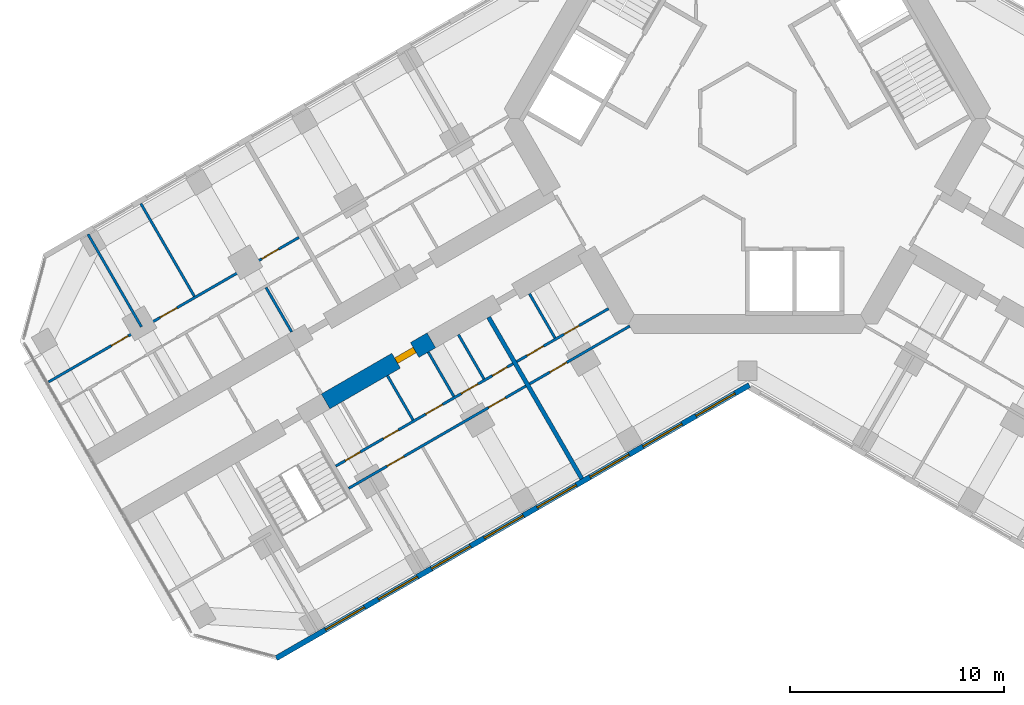
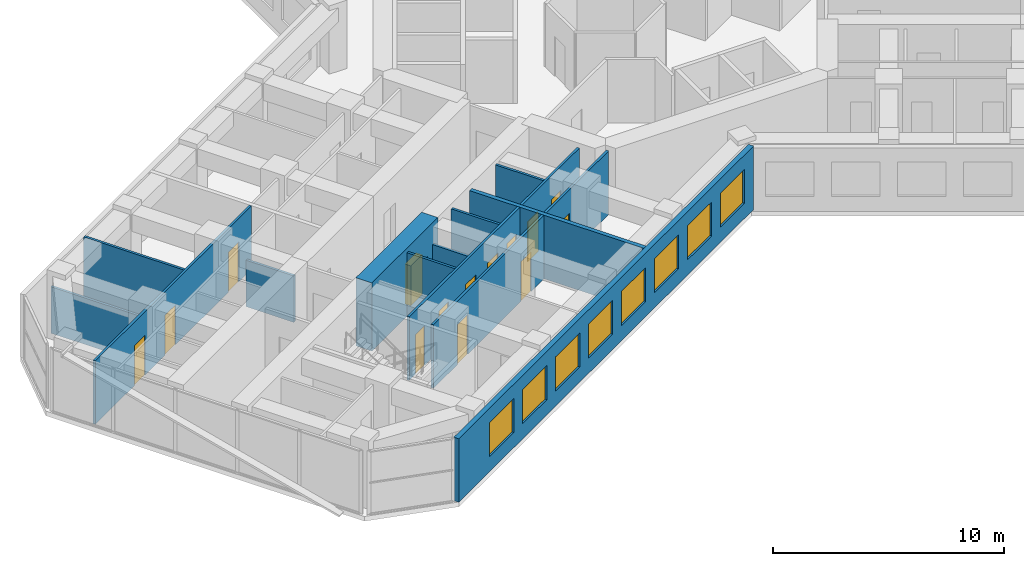
# One storey, part 11 of 20: 15 walls, 14 doors, 8 windows, 22 openings.
"""IFC4 building model written with IfcOpenShell, lengths in metres."""

import ifcopenshell
import ifcopenshell.guid

model = None  # the IFC model being written
_history = None  # IfcOwnerHistory: only IFC2X3 demands one
_inside = {}  # id of a spatial element -> (the spatial element, [elements in it])
_under = {}  # id of a project, library or spatial element -> (it, [spatial elements below it])
_declared = {}  # id of a project -> (the project, [libraries it declares])
_typed = {}  # id of a type object -> (the type object, [elements of that type])
_made_of = {}  # id of a material, layer set ... -> (it, [elements and type objects made of it])


def new_model(schema):
    """Start an empty IFC model of exactly this schema.

    Asked for "IFC4X3", IfcOpenShell would pick the latest addendum, in which some entities
    have other attributes; the version numbers below select the first issue.
    IFC2X3 requires an IfcOwnerHistory on every rooted entity: one is made here for all.
    """
    global model, _history
    if schema == "IFC4X3":
        model = ifcopenshell.file(schema_version=(4, 3, 0, 0))
    else:
        model = ifcopenshell.file(schema=schema)
    _inside.clear()
    _under.clear()
    _declared.clear()
    _typed.clear()
    _made_of.clear()
    _history = None
    if model.schema == "IFC2X3":
        org = make("IfcOrganization", Name="unknown")
        user = make(
            "IfcPersonAndOrganization",
            ThePerson=make("IfcPerson", FamilyName="unknown"),
            TheOrganization=org,
        )
        app = make(
            "IfcApplication",
            ApplicationDeveloper=org,
            Version="unknown",
            ApplicationFullName="unknown",
            ApplicationIdentifier="unknown",
        )
        _history = make(
            "IfcOwnerHistory",
            OwningUser=user,
            OwningApplication=app,
            ChangeAction="ADDED",
            CreationDate=0,
        )
    return model


def make(cls, **values):
    """One entity of the class cls with the attributes given. An attribute that is None is left unset."""
    return model.create_entity(
        cls, **{name: value for name, value in values.items() if value is not None}
    )


def rooted(cls, **values):
    """An entity with a GlobalId (a new one), such as an element, a storey or a relation."""
    return make(cls, GlobalId=ifcopenshell.guid.new(), OwnerHistory=_history, **values)


def si_unit(unit_type, name, prefix=None):
    """IfcSIUnit, for example si_unit("LENGTHUNIT", "METRE", prefix="MILLI")."""
    return make("IfcSIUnit", UnitType=unit_type, Prefix=prefix, Name=name)


def assignment(units):
    """IfcUnitAssignment: the units of a project."""
    return None if units is None else make("IfcUnitAssignment", Units=units)


def point(xyz):
    """IfcCartesianPoint."""
    return None if xyz is None else make("IfcCartesianPoint", Coordinates=xyz)


def direction(xyz):
    """IfcDirection."""
    return None if xyz is None else make("IfcDirection", DirectionRatios=xyz)


def frame(location, z_axis=None, x_axis=None):
    """IfcAxis2Placement3D, a coordinate frame: its origin and axes. An axis left out is left unset."""
    return make(
        "IfcAxis2Placement3D",
        Location=point(location),
        Axis=direction(z_axis),
        RefDirection=direction(x_axis),
    )


def frame_2d(location, x_axis=None):
    """IfcAxis2Placement2D, a coordinate frame in the plane: its origin and x axis."""
    return make(
        "IfcAxis2Placement2D", Location=point(location), RefDirection=direction(x_axis)
    )


def origin():
    """The frame at (0, 0, 0) with its axes left unset."""
    return frame((0.0, 0.0, 0.0))


def place(relative_to, where):
    """IfcLocalPlacement: puts the frame where relative to a parent placement (None: the world)."""
    return make(
        "IfcLocalPlacement", PlacementRelTo=relative_to, RelativePlacement=where
    )


def context(
    kind, dimensions, precision=None, world=None, true_north=None, identifier=None
):
    """IfcGeometricRepresentationContext, for example the 3D "Model" context."""
    return make(
        "IfcGeometricRepresentationContext",
        ContextIdentifier=identifier,
        ContextType=kind,
        CoordinateSpaceDimension=dimensions,
        Precision=precision,
        WorldCoordinateSystem=world,
        TrueNorth=true_north,
    )


def subcontext(parent, identifier, kind, view, scale=None):
    """IfcGeometricRepresentationSubContext, for example "Body" below "Model"."""
    return make(
        "IfcGeometricRepresentationSubContext",
        ContextIdentifier=identifier,
        ContextType=kind,
        ParentContext=parent,
        TargetScale=scale,
        TargetView=view,
    )


def project(units=None, contexts=None):
    """IfcProject with its units and contexts."""
    return rooted(
        "IfcProject",
        Name="project",
        RepresentationContexts=contexts,
        UnitsInContext=assignment(units),
    )


def spatial(cls, under=None, at=None, **own):
    """A site, building, storey or space (cls), placed at a placement, below another one or the project."""
    s = rooted(cls, ObjectPlacement=at, **own)
    if under is not None:
        _under.setdefault(under.id(), (under, []))[1].append(s)
    return s


def profile(cls, at=None, kind="AREA", **sizes):
    """A parametric profile (cls). Its sizes go by their IFC names, for example OverallWidth=200.0."""
    return make(cls, ProfileType=kind, Position=at, **sizes)


def rectangle(**sizes):
    """IfcRectangleProfileDef."""
    return profile("IfcRectangleProfileDef", **sizes)


def extrude(swept, where, along, depth):
    """IfcExtrudedAreaSolid: the profile swept, set in the frame where, extruded along a direction by depth."""
    return make(
        "IfcExtrudedAreaSolid",
        SweptArea=swept,
        Position=where,
        ExtrudedDirection=direction(along),
        Depth=depth,
    )


def shape(context_of_items, identifier, shape_type, items):
    """IfcShapeRepresentation: the items that make up one representation, for example the "Body"."""
    return make(
        "IfcShapeRepresentation",
        ContextOfItems=context_of_items,
        RepresentationIdentifier=identifier,
        RepresentationType=shape_type,
        Items=items,
    )


def material(Name=None, Category=None):
    """IfcMaterial."""
    return make("IfcMaterial", Name=Name, Category=Category)


def layer(
    of_material, thickness, ventilated=None, Name=None, Category=None, Priority=None
):
    """IfcMaterialLayer: one layer of a wall or slab, of a material (None: an air gap)."""
    return make(
        "IfcMaterialLayer",
        Material=of_material,
        LayerThickness=thickness,
        IsVentilated=ventilated,
        Name=Name,
        Category=Category,
        Priority=Priority,
    )


def layer_set(layers, Name=None):
    """IfcMaterialLayerSet."""
    return make("IfcMaterialLayerSet", MaterialLayers=layers, LayerSetName=Name)


def made_of(thing, what):
    """Note that an element or type object is made of a material, layer set ...; save() writes the relation."""
    if what is not None:
        _made_of.setdefault(what.id(), (what, []))[1].append(thing)
    return thing


def type_object(cls, material=None, **own):
    """A type object (cls), such as IfcWallType, which elements share."""
    return made_of(rooted(cls, **own), material)


def element(
    cls,
    number,
    at=None,
    inside=None,
    cuts=None,
    type_object=None,
    material=None,
    context=None,
    identifier="Body",
    shape_type=None,
    held_by="IfcProductDefinitionShape",
    body=None,
    shapes=None,
    **own,
):
    """One element of the class cls, such as IfcWall. Its Tag is "e" and its number.

    at: its placement. inside: the storey or other place that contains it. cuts: it is an
    opening in that element (IfcRelVoidsElement). A single representation is given by context,
    identifier, shape_type and body (its items); several are given by shapes. held_by: the class
    of the entity that holds the representations. save() writes the other relations.
    """
    e = rooted(cls, Tag="e%d" % number, ObjectPlacement=at, **own)
    if body is not None:
        shapes = [shape(context, identifier, shape_type, body)]
    if shapes is not None:
        e.Representation = make(held_by, Representations=shapes)
    if inside is not None:
        _inside.setdefault(inside.id(), (inside, []))[1].append(e)
    if cuts is not None:
        rooted(
            "IfcRelVoidsElement", RelatingBuildingElement=cuts, RelatedOpeningElement=e
        )
    if type_object is not None:
        _typed.setdefault(type_object.id(), (type_object, []))[1].append(e)
    return made_of(e, material)


def fill(opening, filler):
    """IfcRelFillsElement: the door or window that sits in an opening."""
    return rooted(
        "IfcRelFillsElement",
        RelatingOpeningElement=opening,
        RelatedBuildingElement=filler,
    )


def aggregate(whole, parts):
    """IfcRelAggregates: a whole, such as a stair, and the parts it consists of."""
    return rooted("IfcRelAggregates", RelatingObject=whole, RelatedObjects=parts)


def save(model, path):
    """Write the relations noted so far, then the file.

    IfcRelAggregates (storeys below a building ...), IfcRelContainedInSpatialStructure (elements
    in a storey), IfcRelDefinesByType, IfcRelAssociatesMaterial and IfcRelDeclares: one each for
    every whole, place, type object, material and project.
    """
    for whole, parts in _under.values():
        aggregate(whole, parts)
    for where, things in _inside.values():
        rooted(
            "IfcRelContainedInSpatialStructure",
            RelatedElements=things,
            RelatingStructure=where,
        )
    for kind, things in _typed.values():
        rooted("IfcRelDefinesByType", RelatedObjects=things, RelatingType=kind)
    for what, things in _made_of.values():
        rooted("IfcRelAssociatesMaterial", RelatedObjects=things, RelatingMaterial=what)
    for by, libraries in _declared.values():
        rooted("IfcRelDeclares", RelatingContext=by, RelatedDefinitions=libraries)
    model.write(path)


model = new_model("IFC4")

# Units and contexts
model_context = context("Model", 3, precision=1e-05, world=origin(), true_north=direction((0.0, 1.0)))
body_context = subcontext(model_context, "Body", "Model", "MODEL_VIEW")
ifc_project = project(units=[si_unit("LENGTHUNIT", "METRE"), si_unit("AREAUNIT", "SQUARE_METRE"), si_unit("VOLUMEUNIT", "CUBIC_METRE"), si_unit("PLANEANGLEUNIT", "RADIAN"), si_unit("MASSUNIT", "GRAM", prefix="KILO")], contexts=[model_context])

# Site, building, storey
site_placement = place(None, origin())
site = spatial("IfcSite", under=ifc_project, at=site_placement, CompositionType="ELEMENT")
building_placement = place(site_placement, origin())
building = spatial("IfcBuilding", under=site, at=building_placement, Name="Kosmar Iwan School Tower", CompositionType="ELEMENT")
storey_placement = place(building_placement, frame((0.0, 0.0, 179.60009765625)))
storey = spatial("IfcBuildingStorey", under=building, at=storey_placement, Name="L45", CompositionType="ELEMENT", Elevation=179.60009765625)

# Wall, opening, door
ifc_material_1 = material(Name="Concrete C50/60", Category="concrete")
ifc_layer_1 = layer(ifc_material_1, 0.800048828125)
ifc_layer_set_1 = layer_set([ifc_layer_1], Name="Corridor buttress wall 800")
wall_type_1 = type_object("IfcWallType", Name="Corridor buttress wall 800", PredefinedType="SHEAR", material=ifc_layer_set_1)
wall_1_placement = place(storey_placement, frame((-14.7451171875, -10.360595703125, 0.0), z_axis=(0.0, 0.0, 1.0), x_axis=(-0.866015111908, -0.50001782563, 0.0)))
wall_1 = element("IfcWall", 1, at=wall_1_placement, inside=storey, type_object=wall_type_1, Name="Corridor wall BL bay 2", PredefinedType="SHEAR", context=body_context, shape_type="SweptSolid", body=[
    extrude(rectangle(XDim=5.699951171875, YDim=0.800048828125, at=frame_2d((2.85009765625, 0.0))), origin(), (0.0, 0.0, 1.0), 3.599853515625),
])
opening_1_placement = place(wall_1_placement, frame((0.89990234375, 0.0, 0.0)))
opening_1 = element("IfcOpeningElement", 2, at=opening_1_placement, cuts=wall_1, Name="Opening D1", PredefinedType="OPENING", context=body_context, shape_type="SweptSolid", body=[
    extrude(rectangle(XDim=1.0, YDim=2.10009765625, at=frame_2d((0.5, 1.050048828125))), frame((0.0, 0.412109375, 0.0), z_axis=(0.0, -1.0, 0.0), x_axis=(1.0, 0.0, 0.0)), (0.0, 0.0, 1.0), 0.823974609375),
])
ifc_material_2 = material(Name="Timber fire door in steel frame", Category="steel")
door_type_1 = type_object("IfcDoorType", Name="Flat entrance door 1000x2100", OperationType="SINGLE_SWING_LEFT", PredefinedType="DOOR", material=ifc_material_2)
door_1_placement = place(opening_1_placement, origin())
door_1 = element("IfcDoor", 3, at=door_1_placement, inside=storey, type_object=door_type_1, Name="Flat L45-BL2 entrance door", OperationType="SINGLE_SWING_LEFT", OverallHeight=2.10009765625, OverallWidth=1.0, PredefinedType="DOOR", context=body_context, shape_type="SweptSolid", body=[
    extrude(rectangle(XDim=1.0, YDim=2.10009765625, at=frame_2d((0.5, 1.050048828125))), frame((0.0, 0.14990234375, 0.0), z_axis=(0.0, -1.0, 0.0), x_axis=(1.0, 0.0, 0.0)), (0.0, 0.0, 1.0), 0.300048828125),
])
fill(opening_1, door_1)

# Wall, openings, doors
ifc_material_3 = material(Name="Gypsum board on steel studs", Category="steel")
ifc_layer_2 = layer(ifc_material_3, 0.1201171875)
ifc_layer_set_2 = layer_set([ifc_layer_2], Name="Dwelling partition 120")
wall_type_2 = type_object("IfcWallType", Name="Dwelling partition 120", PredefinedType="PARTITIONING", material=ifc_layer_set_2)
wall_2_placement = place(storey_placement, frame((-6.478515625, -8.87890625, 0.0), z_axis=(0.0, 0.0, 1.0), x_axis=(-0.866040211805, -0.499974350878, 0.0)))
wall_2 = element("IfcWall", 4, at=wall_2_placement, inside=storey, type_object=wall_type_2, Name="Partition L45-BL1-W1", PredefinedType="PARTITIONING", context=body_context, shape_type="SweptSolid", body=[
    extrude(rectangle(XDim=4.949951171875, YDim=0.1201171875, at=frame_2d((2.47509765625, 0.0))), origin(), (0.0, 0.0, 1.0), 3.349853515625),
])
opening_2_placement = place(wall_2_placement, frame((1.60009765625, 0.0, 0.0)))
opening_2 = element("IfcOpeningElement", 5, at=opening_2_placement, cuts=wall_2, Name="Opening D3", PredefinedType="OPENING", context=body_context, shape_type="SweptSolid", body=[
    extrude(rectangle(XDim=0.800048828125, YDim=2.10009765625, at=frame_2d((0.39990234375, 1.050048828125))), frame((0.0, 0.072021484375, 0.0), z_axis=(0.0, -1.0, 0.0), x_axis=(1.0, 0.0, 0.0)), (0.0, 0.0, 1.0), 0.14404296875),
])
opening_3_placement = place(wall_2_placement, frame((3.5, 0.0, 0.0)))
opening_3 = element("IfcOpeningElement", 6, at=opening_3_placement, cuts=wall_2, Name="Opening D2", PredefinedType="OPENING", context=body_context, shape_type="SweptSolid", body=[
    extrude(rectangle(XDim=0.89990234375, YDim=2.10009765625, at=frame_2d((0.449951171875, 1.050048828125))), frame((0.0, 0.072021484375, 0.0), z_axis=(0.0, -1.0, 0.0), x_axis=(1.0, 0.0, 0.0)), (0.0, 0.0, 1.0), 0.14404296875),
])
ifc_material_4 = material(Name="Timber door in timber frame", Category="wood")
door_type_2 = type_object("IfcDoorType", Name="Internal door 900x2100", OperationType="SINGLE_SWING_LEFT", PredefinedType="DOOR", material=ifc_material_4)
door_2_placement = place(opening_3_placement, origin())
door_2 = element("IfcDoor", 7, at=door_2_placement, inside=storey, type_object=door_type_2, Name="Entrance hall door L45-BL1-S2", OperationType="SINGLE_SWING_RIGHT", OverallHeight=2.10009765625, OverallWidth=0.89990234375, PredefinedType="DOOR", context=body_context, shape_type="SweptSolid", body=[
    extrude(rectangle(XDim=0.89990234375, YDim=2.10009765625, at=frame_2d((0.449951171875, 1.050048828125))), frame((0.0, 0.02490234375, 0.0), z_axis=(0.0, -1.0, 0.0), x_axis=(1.0, 0.0, 0.0)), (0.0, 0.0, 1.0), 0.050048828125),
])
fill(opening_3, door_2)
ifc_material_5 = material(Name="Timber door in timber frame", Category="wood")
door_type_3 = type_object("IfcDoorType", Name="Sanitary room door 800x2100", OperationType="SINGLE_SWING_LEFT", PredefinedType="DOOR", material=ifc_material_5)
door_3_placement = place(opening_2_placement, origin())
door_3 = element("IfcDoor", 8, at=door_3_placement, inside=storey, type_object=door_type_3, Name="Bathroom door L45-BL1-S1", OperationType="SINGLE_SWING_LEFT", OverallHeight=2.10009765625, OverallWidth=0.800048828125, PredefinedType="DOOR", context=body_context, shape_type="SweptSolid", body=[
    extrude(rectangle(XDim=0.800048828125, YDim=2.10009765625, at=frame_2d((0.39990234375, 1.050048828125))), frame((0.0, 0.02490234375, 0.0), z_axis=(0.0, -1.0, 0.0), x_axis=(1.0, 0.0, 0.0)), (0.0, 0.0, 1.0), 0.050048828125),
])
fill(opening_2, door_3)

# Wall, opening, door
wall_3_placement = place(storey_placement, frame((-5.48876953125, -9.693115234375, 0.0), z_axis=(0.0, 0.0, 1.0), x_axis=(-0.866028230842, -0.499995103361, 0.0)))
wall_3 = element("IfcWall", 9, at=wall_3_placement, inside=storey, type_object=wall_type_2, Name="Partition L45-BL1-W2", PredefinedType="PARTITIONING", context=body_context, shape_type="SweptSolid", body=[
    extrude(rectangle(XDim=5.39990234375, YDim=0.1201171875, at=frame_2d((2.699951171875, 0.0))), origin(), (0.0, 0.0, 1.0), 3.349853515625),
])
opening_4_placement = place(wall_3_placement, frame((3.39990234375, 0.0, 0.0)))
opening_4 = element("IfcOpeningElement", 10, at=opening_4_placement, cuts=wall_3, Name="Opening D2", PredefinedType="OPENING", context=body_context, shape_type="SweptSolid", body=[
    extrude(rectangle(XDim=0.89990234375, YDim=2.10009765625, at=frame_2d((0.449951171875, 1.050048828125))), frame((0.0, 0.072021484375, 0.0), z_axis=(0.0, -1.0, 0.0), x_axis=(1.0, 0.0, 0.0)), (0.0, 0.0, 1.0), 0.14404296875),
])
door_4_placement = place(opening_4_placement, origin())
door_4 = element("IfcDoor", 11, at=door_4_placement, inside=storey, type_object=door_type_2, Name="Studio living room and kitchen door L45-BL1-F1", OperationType="SINGLE_SWING_RIGHT", OverallHeight=2.10009765625, OverallWidth=0.89990234375, PredefinedType="DOOR", context=body_context, shape_type="SweptSolid", body=[
    extrude(rectangle(XDim=0.89990234375, YDim=2.10009765625, at=frame_2d((0.449951171875, 1.050048828125))), frame((0.0, 0.02490234375, 0.0), z_axis=(0.0, -1.0, 0.0), x_axis=(1.0, 0.0, 0.0)), (0.0, 0.0, 1.0), 0.050048828125),
])
fill(opening_4, door_4)

# Wall
wall_4_placement = place(storey_placement, frame((-10.171630859375, -8.18212890625, 0.0), z_axis=(0.0, 0.0, 1.0), x_axis=(0.499940577336, -0.866059708757, 0.0)))
element("IfcWall", 12, at=wall_4_placement, inside=storey, type_object=wall_type_2, Name="Partition L45-BL1-Y1", PredefinedType="PARTITIONING", context=body_context, shape_type="SweptSolid", body=[
    extrude(rectangle(XDim=2.389892578125, YDim=0.1201171875, at=frame_2d((1.19482421875, 0.0))), origin(), (0.0, 0.0, 1.0), 3.349853515625),
])

# Wall, openings, doors
wall_5_placement = place(storey_placement, frame((-10.9384765625, -11.453857421875, 0.0), z_axis=(0.0, 0.0, 1.0), x_axis=(-0.866035311659, -0.499982838664, 0.0)))
wall_5 = element("IfcWall", 13, at=wall_5_placement, inside=storey, type_object=wall_type_2, Name="Partition L45-BL2-W1", PredefinedType="PARTITIONING", context=body_context, shape_type="SweptSolid", body=[
    extrude(rectangle(XDim=9.550048828125, YDim=0.1201171875, at=frame_2d((4.77490234375, 0.0))), origin(), (0.0, 0.0, 1.0), 3.349853515625),
])
opening_5_placement = place(wall_5_placement, frame((0.3125, 0.0, 0.0)))
opening_5 = element("IfcOpeningElement", 14, at=opening_5_placement, cuts=wall_5, Name="Opening D3", PredefinedType="OPENING", context=body_context, shape_type="SweptSolid", body=[
    extrude(rectangle(XDim=0.800048828125, YDim=2.10009765625, at=frame_2d((0.39990234375, 1.050048828125))), frame((0.0, 0.072021484375, 0.0), z_axis=(0.0, -1.0, 0.0), x_axis=(1.0, 0.0, 0.0)), (0.0, 0.0, 1.0), 0.14404296875),
])
opening_6_placement = place(wall_5_placement, frame((1.887451171875, 0.0, 0.0)))
opening_6 = element("IfcOpeningElement", 15, at=opening_6_placement, cuts=wall_5, Name="Opening D2", PredefinedType="OPENING", context=body_context, shape_type="SweptSolid", body=[
    extrude(rectangle(XDim=0.89990234375, YDim=2.10009765625, at=frame_2d((0.449951171875, 1.050048828125))), frame((0.0, 0.072021484375, 0.0), z_axis=(0.0, -1.0, 0.0), x_axis=(1.0, 0.0, 0.0)), (0.0, 0.0, 1.0), 0.14404296875),
])
opening_7_placement = place(wall_5_placement, frame((3.800048828125, 0.0, 0.0)))
opening_7 = element("IfcOpeningElement", 16, at=opening_7_placement, cuts=wall_5, Name="Opening D2", PredefinedType="OPENING", context=body_context, shape_type="SweptSolid", body=[
    extrude(rectangle(XDim=0.89990234375, YDim=2.10009765625, at=frame_2d((0.449951171875, 1.050048828125))), frame((0.0, 0.072021484375, 0.0), z_axis=(0.0, -1.0, 0.0), x_axis=(1.0, 0.0, 0.0)), (0.0, 0.0, 1.0), 0.14404296875),
])
opening_8_placement = place(wall_5_placement, frame((6.179931640625, 0.0, 0.0)))
opening_8 = element("IfcOpeningElement", 17, at=opening_8_placement, cuts=wall_5, Name="Opening D3", PredefinedType="OPENING", context=body_context, shape_type="SweptSolid", body=[
    extrude(rectangle(XDim=0.800048828125, YDim=2.10009765625, at=frame_2d((0.39990234375, 1.050048828125))), frame((0.0, 0.072021484375, 0.0), z_axis=(0.0, -1.0, 0.0), x_axis=(1.0, 0.0, 0.0)), (0.0, 0.0, 1.0), 0.14404296875),
])
opening_9_placement = place(wall_5_placement, frame((8.22998046875, 0.0, 0.0)))
opening_9 = element("IfcOpeningElement", 18, at=opening_9_placement, cuts=wall_5, Name="Opening D3", PredefinedType="OPENING", context=body_context, shape_type="SweptSolid", body=[
    extrude(rectangle(XDim=0.800048828125, YDim=2.10009765625, at=frame_2d((0.39990234375, 1.050048828125))), frame((0.0, 0.072021484375, 0.0), z_axis=(0.0, -1.0, 0.0), x_axis=(1.0, 0.0, 0.0)), (0.0, 0.0, 1.0), 0.14404296875),
])
door_5_placement = place(opening_6_placement, frame((0.89990234375, 0.0, 0.0), z_axis=(0.0, 0.0, 1.0), x_axis=(-1.0, 0.0, 0.0)))
door_5 = element("IfcDoor", 19, at=door_5_placement, inside=storey, type_object=door_type_2, Name="Pantry door L45-BL2-S2", OperationType="SINGLE_SWING_RIGHT", OverallHeight=2.10009765625, OverallWidth=0.89990234375, PredefinedType="DOOR", context=body_context, shape_type="SweptSolid", body=[
    extrude(rectangle(XDim=0.89990234375, YDim=2.10009765625, at=frame_2d((0.449951171875, 1.050048828125))), frame((0.0, 0.02490234375, 0.0), z_axis=(0.0, -1.0, 0.0), x_axis=(1.0, 0.0, 0.0)), (0.0, 0.0, 1.0), 0.050048828125),
])
fill(opening_6, door_5)
door_6_placement = place(opening_7_placement, origin())
door_6 = element("IfcDoor", 20, at=door_6_placement, inside=storey, type_object=door_type_2, Name="Entrance hall door L45-BL2-S3", OperationType="SINGLE_SWING_LEFT", OverallHeight=2.10009765625, OverallWidth=0.89990234375, PredefinedType="DOOR", context=body_context, shape_type="SweptSolid", body=[
    extrude(rectangle(XDim=0.89990234375, YDim=2.10009765625, at=frame_2d((0.449951171875, 1.050048828125))), frame((0.0, 0.02490234375, 0.0), z_axis=(0.0, -1.0, 0.0), x_axis=(1.0, 0.0, 0.0)), (0.0, 0.0, 1.0), 0.050048828125),
])
fill(opening_7, door_6)
door_7_placement = place(opening_5_placement, origin())
door_7 = element("IfcDoor", 21, at=door_7_placement, inside=storey, type_object=door_type_3, Name="Store door L45-BL2-S1", OperationType="SINGLE_SWING_LEFT", OverallHeight=2.10009765625, OverallWidth=0.800048828125, PredefinedType="DOOR", context=body_context, shape_type="SweptSolid", body=[
    extrude(rectangle(XDim=0.800048828125, YDim=2.10009765625, at=frame_2d((0.39990234375, 1.050048828125))), frame((0.0, 0.02490234375, 0.0), z_axis=(0.0, -1.0, 0.0), x_axis=(1.0, 0.0, 0.0)), (0.0, 0.0, 1.0), 0.050048828125),
])
fill(opening_5, door_7)
door_8_placement = place(opening_8_placement, origin())
door_8 = element("IfcDoor", 22, at=door_8_placement, inside=storey, type_object=door_type_3, Name="Bathroom door L45-BL2-S4", OperationType="SINGLE_SWING_RIGHT", OverallHeight=2.10009765625, OverallWidth=0.800048828125, PredefinedType="DOOR", context=body_context, shape_type="SweptSolid", body=[
    extrude(rectangle(XDim=0.800048828125, YDim=2.10009765625, at=frame_2d((0.39990234375, 1.050048828125))), frame((0.0, 0.02490234375, 0.0), z_axis=(0.0, -1.0, 0.0), x_axis=(1.0, 0.0, 0.0)), (0.0, 0.0, 1.0), 0.050048828125),
])
fill(opening_8, door_8)
door_9_placement = place(opening_9_placement, origin())
door_9 = element("IfcDoor", 23, at=door_9_placement, inside=storey, type_object=door_type_3, Name="WC door L45-BL2-S5", OperationType="SINGLE_SWING_RIGHT", OverallHeight=2.10009765625, OverallWidth=0.800048828125, PredefinedType="DOOR", context=body_context, shape_type="SweptSolid", body=[
    extrude(rectangle(XDim=0.800048828125, YDim=2.10009765625, at=frame_2d((0.39990234375, 1.050048828125))), frame((0.0, 0.02490234375, 0.0), z_axis=(0.0, -1.0, 0.0), x_axis=(1.0, 0.0, 0.0)), (0.0, 0.0, 1.0), 0.050048828125),
])
fill(opening_9, door_9)

wall_6_placement = place(storey_placement, frame((-10.338623046875, -12.492919921875, 0.0), z_axis=(0.0, 0.0, 1.0), x_axis=(-0.866017851049, -0.500013081493, 0.0)))
wall_6 = element("IfcWall", 24, at=wall_6_placement, inside=storey, type_object=wall_type_2, Name="Partition L45-BL2-W2", PredefinedType="PARTITIONING", context=body_context, shape_type="SweptSolid", body=[
    extrude(rectangle(XDim=9.550048828125, YDim=0.1201171875, at=frame_2d((4.77490234375, 0.0))), origin(), (0.0, 0.0, 1.0), 3.349853515625),
])
opening_10_placement = place(wall_6_placement, frame((1.10009765625, 0.0, 0.0)))
opening_10 = element("IfcOpeningElement", 25, at=opening_10_placement, cuts=wall_6, Name="Opening D2", PredefinedType="OPENING", context=body_context, shape_type="SweptSolid", body=[
    extrude(rectangle(XDim=0.89990234375, YDim=2.10009765625, at=frame_2d((0.449951171875, 1.050048828125))), frame((0.0, 0.072021484375, 0.0), z_axis=(0.0, -1.0, 0.0), x_axis=(1.0, 0.0, 0.0)), (0.0, 0.0, 1.0), 0.14404296875),
])
opening_11_placement = place(wall_6_placement, frame((6.574951171875, 0.0, 0.0)))
opening_11 = element("IfcOpeningElement", 26, at=opening_11_placement, cuts=wall_6, Name="Opening D2", PredefinedType="OPENING", context=body_context, shape_type="SweptSolid", body=[
    extrude(rectangle(XDim=0.89990234375, YDim=2.10009765625, at=frame_2d((0.449951171875, 1.050048828125))), frame((0.0, 0.072021484375, 0.0), z_axis=(0.0, -1.0, 0.0), x_axis=(1.0, 0.0, 0.0)), (0.0, 0.0, 1.0), 0.14404296875),
])
door_10_placement = place(opening_10_placement, origin())
door_10 = element("IfcDoor", 27, at=door_10_placement, inside=storey, type_object=door_type_2, Name="Family room and kitchen door L45-BL2-F1", OperationType="SINGLE_SWING_LEFT", OverallHeight=2.10009765625, OverallWidth=0.89990234375, PredefinedType="DOOR", context=body_context, shape_type="SweptSolid", body=[
    extrude(rectangle(XDim=0.89990234375, YDim=2.10009765625, at=frame_2d((0.449951171875, 1.050048828125))), frame((0.0, 0.02490234375, 0.0), z_axis=(0.0, -1.0, 0.0), x_axis=(1.0, 0.0, 0.0)), (0.0, 0.0, 1.0), 0.050048828125),
])
fill(opening_10, door_10)
door_11_placement = place(opening_11_placement, origin())
door_11 = element("IfcDoor", 28, at=door_11_placement, inside=storey, type_object=door_type_2, Name="Bedroom 1 door L45-BL2-F2", OperationType="SINGLE_SWING_LEFT", OverallHeight=2.10009765625, OverallWidth=0.89990234375, PredefinedType="DOOR", context=body_context, shape_type="SweptSolid", body=[
    extrude(rectangle(XDim=0.89990234375, YDim=2.10009765625, at=frame_2d((0.449951171875, 1.050048828125))), frame((0.0, 0.02490234375, 0.0), z_axis=(0.0, -1.0, 0.0), x_axis=(1.0, 0.0, 0.0)), (0.0, 0.0, 1.0), 0.050048828125),
])
fill(opening_11, door_11)

# Walls
wall_7_placement = place(storey_placement, frame((-13.484375, -10.094482421875, 0.0), z_axis=(0.0, 0.0, 1.0), x_axis=(0.500017192868, -0.86601547725, 0.0)))
element("IfcWall", 29, at=wall_7_placement, inside=storey, type_object=wall_type_2, Name="Partition L45-BL2-Y1", PredefinedType="PARTITIONING", context=body_context, shape_type="SweptSolid", body=[
    extrude(rectangle(XDim=2.39013671875, YDim=0.1201171875, at=frame_2d((1.195068359375, 0.0))), origin(), (0.0, 0.0, 1.0), 3.349853515625),
])
wall_8_placement = place(storey_placement, frame((-14.8916015625, -10.906982421875, 0.0), z_axis=(0.0, 0.0, 1.0), x_axis=(0.500017192868, -0.86601547725, 0.0)))
element("IfcWall", 30, at=wall_8_placement, inside=storey, type_object=wall_type_2, Name="Partition L45-BL2-Y2", PredefinedType="PARTITIONING", context=body_context, shape_type="SweptSolid", body=[
    extrude(rectangle(XDim=2.39013671875, YDim=0.1201171875, at=frame_2d((1.195068359375, 0.0))), origin(), (0.0, 0.0, 1.0), 2.449951171875),
])
wall_9_placement = place(storey_placement, frame((-16.796875, -12.007080078125, 0.0), z_axis=(0.0, 0.0, 1.0), x_axis=(0.500017192868, -0.86601547725, 0.0)))
element("IfcWall", 31, at=wall_9_placement, inside=storey, type_object=wall_type_2, Name="Partition L45-BL2-Y3", PredefinedType="PARTITIONING", context=body_context, shape_type="SweptSolid", body=[
    extrude(rectangle(XDim=2.39013671875, YDim=0.1201171875, at=frame_2d((1.195068359375, 0.0))), origin(), (0.0, 0.0, 1.0), 3.349853515625),
])

# Wall, openings, doors
wall_10_placement = place(storey_placement, frame((-20.9248046875, -5.556884765625, 0.0), z_axis=(0.0, 0.0, 1.0), x_axis=(-0.866028025956, -0.499995458239, 0.0)))
wall_10 = element("IfcWall", 32, at=wall_10_placement, inside=storey, type_object=wall_type_2, Name="Partition L45-BR2-W2", PredefinedType="PARTITIONING", context=body_context, shape_type="SweptSolid", body=[
    extrude(rectangle(XDim=13.495361328125, YDim=0.1201171875, at=frame_2d((6.74755859375, 0.0))), origin(), (0.0, 0.0, 1.0), 3.349853515625),
])
opening_12_placement = place(wall_10_placement, frame((1.10009765625, 0.0, 0.0)))
opening_12 = element("IfcOpeningElement", 33, at=opening_12_placement, cuts=wall_10, Name="Opening D2", PredefinedType="OPENING", context=body_context, shape_type="SweptSolid", body=[
    extrude(rectangle(XDim=0.89990234375, YDim=2.10009765625, at=frame_2d((0.449951171875, 1.050048828125))), frame((0.0, 0.072021484375, 0.0), z_axis=(0.0, -1.0, 0.0), x_axis=(1.0, 0.0, 0.0)), (0.0, 0.0, 1.0), 0.14404296875),
])
opening_13_placement = place(wall_10_placement, frame((6.574951171875, 0.0, 0.0)))
opening_13 = element("IfcOpeningElement", 34, at=opening_13_placement, cuts=wall_10, Name="Opening D2", PredefinedType="OPENING", context=body_context, shape_type="SweptSolid", body=[
    extrude(rectangle(XDim=0.89990234375, YDim=2.10009765625, at=frame_2d((0.449951171875, 1.050048828125))), frame((0.0, 0.072021484375, 0.0), z_axis=(0.0, -1.0, 0.0), x_axis=(1.0, 0.0, 0.0)), (0.0, 0.0, 1.0), 0.14404296875),
])
opening_14_placement = place(wall_10_placement, frame((9.199951171875, 0.0, 0.0)))
opening_14 = element("IfcOpeningElement", 35, at=opening_14_placement, cuts=wall_10, Name="Opening D2", PredefinedType="OPENING", context=body_context, shape_type="SweptSolid", body=[
    extrude(rectangle(XDim=0.89990234375, YDim=2.10009765625, at=frame_2d((0.449951171875, 1.050048828125))), frame((0.0, 0.072021484375, 0.0), z_axis=(0.0, -1.0, 0.0), x_axis=(1.0, 0.0, 0.0)), (0.0, 0.0, 1.0), 0.14404296875),
])
door_12_placement = place(opening_12_placement, origin())
door_12 = element("IfcDoor", 36, at=door_12_placement, inside=storey, type_object=door_type_2, Name="Living room door L45-BR2-F1", OperationType="SINGLE_SWING_LEFT", OverallHeight=2.10009765625, OverallWidth=0.89990234375, PredefinedType="DOOR", context=body_context, shape_type="SweptSolid", body=[
    extrude(rectangle(XDim=0.89990234375, YDim=2.10009765625, at=frame_2d((0.449951171875, 1.050048828125))), frame((0.0, 0.02490234375, 0.0), z_axis=(0.0, -1.0, 0.0), x_axis=(1.0, 0.0, 0.0)), (0.0, 0.0, 1.0), 0.050048828125),
])
fill(opening_12, door_12)
door_13_placement = place(opening_13_placement, origin())
door_13 = element("IfcDoor", 37, at=door_13_placement, inside=storey, type_object=door_type_2, Name="Kitchen and dining room door L45-BR2-F2", OperationType="SINGLE_SWING_RIGHT", OverallHeight=2.10009765625, OverallWidth=0.89990234375, PredefinedType="DOOR", context=body_context, shape_type="SweptSolid", body=[
    extrude(rectangle(XDim=0.89990234375, YDim=2.10009765625, at=frame_2d((0.449951171875, 1.050048828125))), frame((0.0, 0.02490234375, 0.0), z_axis=(0.0, -1.0, 0.0), x_axis=(1.0, 0.0, 0.0)), (0.0, 0.0, 1.0), 0.050048828125),
])
fill(opening_13, door_13)
door_14_placement = place(opening_14_placement, origin())
door_14 = element("IfcDoor", 38, at=door_14_placement, inside=storey, type_object=door_type_2, Name="Bedroom 1 door L45-BR2-F3", OperationType="SINGLE_SWING_RIGHT", OverallHeight=2.10009765625, OverallWidth=0.89990234375, PredefinedType="DOOR", context=body_context, shape_type="SweptSolid", body=[
    extrude(rectangle(XDim=0.89990234375, YDim=2.10009765625, at=frame_2d((0.449951171875, 1.050048828125))), frame((0.0, 0.02490234375, 0.0), z_axis=(0.0, -1.0, 0.0), x_axis=(1.0, 0.0, 0.0)), (0.0, 0.0, 1.0), 0.050048828125),
])
fill(opening_14, door_14)

# Walls
wall_11_placement = place(storey_placement, frame((-25.8046875, -8.304931640625, 0.0), z_axis=(0.0, 0.0, 1.0), x_axis=(-0.499975153383, 0.86603974851, 0.0)))
element("IfcWall", 39, at=wall_11_placement, inside=storey, type_object=wall_type_2, Name="Partition L45-BR2-X1", PredefinedType="PARTITIONING", context=body_context, shape_type="SweptSolid", body=[
    extrude(rectangle(XDim=4.989990234375, YDim=0.1201171875, at=frame_2d((2.4951171875, 0.0))), origin(), (0.0, 0.0, 1.0), 3.349853515625),
])
wall_12_placement = place(storey_placement, frame((-28.27294921875, -9.72998046875, 0.0), z_axis=(0.0, 0.0, 1.0), x_axis=(-0.499975153383, 0.86603974851, 0.0)))
element("IfcWall", 40, at=wall_12_placement, inside=storey, type_object=wall_type_2, Name="Partition L45-BR2-X2", PredefinedType="PARTITIONING", context=body_context, shape_type="SweptSolid", body=[
    extrude(rectangle(XDim=4.989990234375, YDim=0.1201171875, at=frame_2d((2.4951171875, 0.0))), origin(), (0.0, 0.0, 1.0), 2.449951171875),
])
wall_13_placement = place(storey_placement, frame((-21.264892578125, -9.968017578125, 0.0), z_axis=(0.0, 0.0, 1.0), x_axis=(-0.500017192868, 0.86601547725, 0.0)))
element("IfcWall", 41, at=wall_13_placement, inside=storey, type_object=wall_type_2, Name="Partition L45-BR2-Y1", PredefinedType="PARTITIONING", context=body_context, shape_type="SweptSolid", body=[
    extrude(rectangle(XDim=2.39013671875, YDim=0.1201171875, at=frame_2d((1.195068359375, 0.0))), origin(), (0.0, 0.0, 1.0), 2.449951171875),
])

# Wall, openings, windows
ifc_material_6 = material(Name="Black aluminium rainscreen on insulated framing", Category="aluminium")
ifc_layer_3 = layer(ifc_material_6, 0.25)
ifc_layer_set_3 = layer_set([ifc_layer_3], Name="External wall rainscreen 250")
wall_type_3 = type_object("IfcWallType", Name="External wall rainscreen 250", PredefinedType="SOLIDWALL", material=ifc_layer_set_3)
wall_14_placement = place(storey_placement, frame((0.088134765625, -12.44873046875, 0.0), z_axis=(0.0, 0.0, 1.0), x_axis=(-0.866026390279, -0.499998291337, 0.0)))
wall_14 = element("IfcWall", 42, at=wall_14_placement, inside=storey, type_object=wall_type_3, Name="External wall BL L45", PredefinedType="SOLIDWALL", context=body_context, shape_type="SweptSolid", body=[
    extrude(rectangle(XDim=25.4873046875, YDim=0.25, at=frame_2d((12.74365234375, 0.0))), origin(), (0.0, 0.0, 1.0), 3.349853515625),
])
opening_15_placement = place(wall_14_placement, frame((0.777099609375, 0.0, 0.800048828125)))
opening_15 = element("IfcOpeningElement", 43, at=opening_15_placement, cuts=wall_14, Name="Opening W4", PredefinedType="OPENING", context=body_context, shape_type="SweptSolid", body=[
    extrude(rectangle(XDim=2.10009765625, YDim=1.800048828125, at=frame_2d((1.050048828125, 0.89990234375))), frame((0.0, 0.136962890625, 0.0), z_axis=(0.0, -1.0, 0.0), x_axis=(1.0, 0.0, 0.0)), (0.0, 0.0, 1.0), 0.27392578125),
])
opening_16_placement = place(wall_14_placement, frame((3.626953125, 0.0, 0.800048828125)))
opening_16 = element("IfcOpeningElement", 44, at=opening_16_placement, cuts=wall_14, Name="Opening W4", PredefinedType="OPENING", context=body_context, shape_type="SweptSolid", body=[
    extrude(rectangle(XDim=2.10009765625, YDim=1.800048828125, at=frame_2d((1.050048828125, 0.89990234375))), frame((0.0, 0.136962890625, 0.0), z_axis=(0.0, -1.0, 0.0), x_axis=(1.0, 0.0, 0.0)), (0.0, 0.0, 1.0), 0.27392578125),
])
opening_17_placement = place(wall_14_placement, frame((6.47705078125, 0.0, 0.800048828125)))
opening_17 = element("IfcOpeningElement", 45, at=opening_17_placement, cuts=wall_14, Name="Opening W4", PredefinedType="OPENING", context=body_context, shape_type="SweptSolid", body=[
    extrude(rectangle(XDim=2.10009765625, YDim=1.800048828125, at=frame_2d((1.050048828125, 0.89990234375))), frame((0.0, 0.136962890625, 0.0), z_axis=(0.0, -1.0, 0.0), x_axis=(1.0, 0.0, 0.0)), (0.0, 0.0, 1.0), 0.27392578125),
])
opening_18_placement = place(wall_14_placement, frame((9.326904296875, 0.0, 0.800048828125)))
opening_18 = element("IfcOpeningElement", 46, at=opening_18_placement, cuts=wall_14, Name="Opening W4", PredefinedType="OPENING", context=body_context, shape_type="SweptSolid", body=[
    extrude(rectangle(XDim=2.10009765625, YDim=1.800048828125, at=frame_2d((1.050048828125, 0.89990234375))), frame((0.0, 0.136962890625, 0.0), z_axis=(0.0, -1.0, 0.0), x_axis=(1.0, 0.0, 0.0)), (0.0, 0.0, 1.0), 0.27392578125),
])
opening_19_placement = place(wall_14_placement, frame((12.177001953125, 0.0, 0.800048828125)))
opening_19 = element("IfcOpeningElement", 47, at=opening_19_placement, cuts=wall_14, Name="Opening W4", PredefinedType="OPENING", context=body_context, shape_type="SweptSolid", body=[
    extrude(rectangle(XDim=2.10009765625, YDim=1.800048828125, at=frame_2d((1.050048828125, 0.89990234375))), frame((0.0, 0.136962890625, 0.0), z_axis=(0.0, -1.0, 0.0), x_axis=(1.0, 0.0, 0.0)), (0.0, 0.0, 1.0), 0.27392578125),
])
opening_20_placement = place(wall_14_placement, frame((15.027099609375, 0.0, 0.800048828125)))
opening_20 = element("IfcOpeningElement", 48, at=opening_20_placement, cuts=wall_14, Name="Opening W4", PredefinedType="OPENING", context=body_context, shape_type="SweptSolid", body=[
    extrude(rectangle(XDim=2.10009765625, YDim=1.800048828125, at=frame_2d((1.050048828125, 0.89990234375))), frame((0.0, 0.136962890625, 0.0), z_axis=(0.0, -1.0, 0.0), x_axis=(1.0, 0.0, 0.0)), (0.0, 0.0, 1.0), 0.27392578125),
])
opening_21_placement = place(wall_14_placement, frame((17.876953125, 0.0, 0.800048828125)))
opening_21 = element("IfcOpeningElement", 49, at=opening_21_placement, cuts=wall_14, Name="Opening W4", PredefinedType="OPENING", context=body_context, shape_type="SweptSolid", body=[
    extrude(rectangle(XDim=2.10009765625, YDim=1.800048828125, at=frame_2d((1.050048828125, 0.89990234375))), frame((0.0, 0.136962890625, 0.0), z_axis=(0.0, -1.0, 0.0), x_axis=(1.0, 0.0, 0.0)), (0.0, 0.0, 1.0), 0.27392578125),
])
opening_22_placement = place(wall_14_placement, frame((20.72705078125, 0.0, 0.800048828125)))
opening_22 = element("IfcOpeningElement", 50, at=opening_22_placement, cuts=wall_14, Name="Opening W4", PredefinedType="OPENING", context=body_context, shape_type="SweptSolid", body=[
    extrude(rectangle(XDim=2.10009765625, YDim=1.800048828125, at=frame_2d((1.050048828125, 0.89990234375))), frame((0.0, 0.136962890625, 0.0), z_axis=(0.0, -1.0, 0.0), x_axis=(1.0, 0.0, 0.0)), (0.0, 0.0, 1.0), 0.27392578125),
])
ifc_material_7 = material(Name="Black aluminium frame with dark triple glazing", Category="aluminium")
window_type = type_object("IfcWindowType", Name="Window 2100x1800", PartitioningType="SINGLE_PANEL", PredefinedType="WINDOW", material=ifc_material_7)
window_1_placement = place(opening_15_placement, origin())
window_1 = element("IfcWindow", 51, at=window_1_placement, inside=storey, type_object=window_type, Name="Window BL L45 -1", OverallHeight=1.800048828125, OverallWidth=2.10009765625, PartitioningType="SINGLE_PANEL", PredefinedType="WINDOW", context=body_context, shape_type="SweptSolid", body=[
    extrude(rectangle(XDim=2.10009765625, YDim=1.800048828125, at=frame_2d((1.050048828125, 0.89990234375))), frame((0.0, 0.030029296875, 0.0), z_axis=(0.0, -1.0, 0.0), x_axis=(1.0, 0.0, 0.0)), (0.0, 0.0, 1.0), 0.06005859375),
])
fill(opening_15, window_1)
window_2_placement = place(opening_16_placement, origin())
window_2 = element("IfcWindow", 52, at=window_2_placement, inside=storey, type_object=window_type, Name="Window BL L45 0", OverallHeight=1.800048828125, OverallWidth=2.10009765625, PartitioningType="SINGLE_PANEL", PredefinedType="WINDOW", context=body_context, shape_type="SweptSolid", body=[
    extrude(rectangle(XDim=2.10009765625, YDim=1.800048828125, at=frame_2d((1.050048828125, 0.89990234375))), frame((0.0, 0.030029296875, 0.0), z_axis=(0.0, -1.0, 0.0), x_axis=(1.0, 0.0, 0.0)), (0.0, 0.0, 1.0), 0.06005859375),
])
fill(opening_16, window_2)
window_3_placement = place(opening_17_placement, origin())
window_3 = element("IfcWindow", 53, at=window_3_placement, inside=storey, type_object=window_type, Name="Window BL L45 1", OverallHeight=1.800048828125, OverallWidth=2.10009765625, PartitioningType="SINGLE_PANEL", PredefinedType="WINDOW", context=body_context, shape_type="SweptSolid", body=[
    extrude(rectangle(XDim=2.10009765625, YDim=1.800048828125, at=frame_2d((1.050048828125, 0.89990234375))), frame((0.0, 0.030029296875, 0.0), z_axis=(0.0, -1.0, 0.0), x_axis=(1.0, 0.0, 0.0)), (0.0, 0.0, 1.0), 0.06005859375),
])
fill(opening_17, window_3)
window_4_placement = place(opening_18_placement, origin())
window_4 = element("IfcWindow", 54, at=window_4_placement, inside=storey, type_object=window_type, Name="Window BL L45 2", OverallHeight=1.800048828125, OverallWidth=2.10009765625, PartitioningType="SINGLE_PANEL", PredefinedType="WINDOW", context=body_context, shape_type="SweptSolid", body=[
    extrude(rectangle(XDim=2.10009765625, YDim=1.800048828125, at=frame_2d((1.050048828125, 0.89990234375))), frame((0.0, 0.030029296875, 0.0), z_axis=(0.0, -1.0, 0.0), x_axis=(1.0, 0.0, 0.0)), (0.0, 0.0, 1.0), 0.06005859375),
])
fill(opening_18, window_4)
window_5_placement = place(opening_19_placement, origin())
window_5 = element("IfcWindow", 55, at=window_5_placement, inside=storey, type_object=window_type, Name="Window BL L45 3", OverallHeight=1.800048828125, OverallWidth=2.10009765625, PartitioningType="SINGLE_PANEL", PredefinedType="WINDOW", context=body_context, shape_type="SweptSolid", body=[
    extrude(rectangle(XDim=2.10009765625, YDim=1.800048828125, at=frame_2d((1.050048828125, 0.89990234375))), frame((0.0, 0.030029296875, 0.0), z_axis=(0.0, -1.0, 0.0), x_axis=(1.0, 0.0, 0.0)), (0.0, 0.0, 1.0), 0.06005859375),
])
fill(opening_19, window_5)
window_6_placement = place(opening_20_placement, origin())
window_6 = element("IfcWindow", 56, at=window_6_placement, inside=storey, type_object=window_type, Name="Window BL L45 4", OverallHeight=1.800048828125, OverallWidth=2.10009765625, PartitioningType="SINGLE_PANEL", PredefinedType="WINDOW", context=body_context, shape_type="SweptSolid", body=[
    extrude(rectangle(XDim=2.10009765625, YDim=1.800048828125, at=frame_2d((1.050048828125, 0.89990234375))), frame((0.0, 0.030029296875, 0.0), z_axis=(0.0, -1.0, 0.0), x_axis=(1.0, 0.0, 0.0)), (0.0, 0.0, 1.0), 0.06005859375),
])
fill(opening_20, window_6)
window_7_placement = place(opening_21_placement, origin())
window_7 = element("IfcWindow", 57, at=window_7_placement, inside=storey, type_object=window_type, Name="Window BL L45 5", OverallHeight=1.800048828125, OverallWidth=2.10009765625, PartitioningType="SINGLE_PANEL", PredefinedType="WINDOW", context=body_context, shape_type="SweptSolid", body=[
    extrude(rectangle(XDim=2.10009765625, YDim=1.800048828125, at=frame_2d((1.050048828125, 0.89990234375))), frame((0.0, 0.030029296875, 0.0), z_axis=(0.0, -1.0, 0.0), x_axis=(1.0, 0.0, 0.0)), (0.0, 0.0, 1.0), 0.06005859375),
])
fill(opening_21, window_7)
window_8_placement = place(opening_22_placement, origin())
window_8 = element("IfcWindow", 58, at=window_8_placement, inside=storey, type_object=window_type, Name="Window BL L45 6", OverallHeight=1.800048828125, OverallWidth=2.10009765625, PartitioningType="SINGLE_PANEL", PredefinedType="WINDOW", context=body_context, shape_type="SweptSolid", body=[
    extrude(rectangle(XDim=2.10009765625, YDim=1.800048828125, at=frame_2d((1.050048828125, 0.89990234375))), frame((0.0, 0.030029296875, 0.0), z_axis=(0.0, -1.0, 0.0), x_axis=(1.0, 0.0, 0.0)), (0.0, 0.0, 1.0), 0.06005859375),
])
fill(opening_22, window_8)

# Wall
ifc_material_8 = material(Name="Concrete block masonry", Category="masonry")
ifc_layer_4 = layer(ifc_material_8, 0.199951171875)
ifc_layer_set_4 = layer_set([ifc_layer_4], Name="Party wall 200")
wall_type_4 = type_object("IfcWallType", Name="Party wall 200", PredefinedType="PARTITIONING", material=ifc_layer_set_4)
wall_15_placement = place(storey_placement, frame((-12.076904296875, -9.281982421875, 0.0), z_axis=(0.0, 0.0, 1.0), x_axis=(0.499987231761, -0.866032775405, 0.0)))
element("IfcWall", 59, at=wall_15_placement, inside=storey, type_object=wall_type_4, Name="Partition L45-BL2-PW", PredefinedType="PARTITIONING", context=body_context, shape_type="SweptSolid", body=[
    extrude(rectangle(XDim=8.699951171875, YDim=0.199951171875, at=frame_2d((4.35009765625, 0.0))), origin(), (0.0, 0.0, 1.0), 3.349853515625),
])

save(model, "model.ifc")
